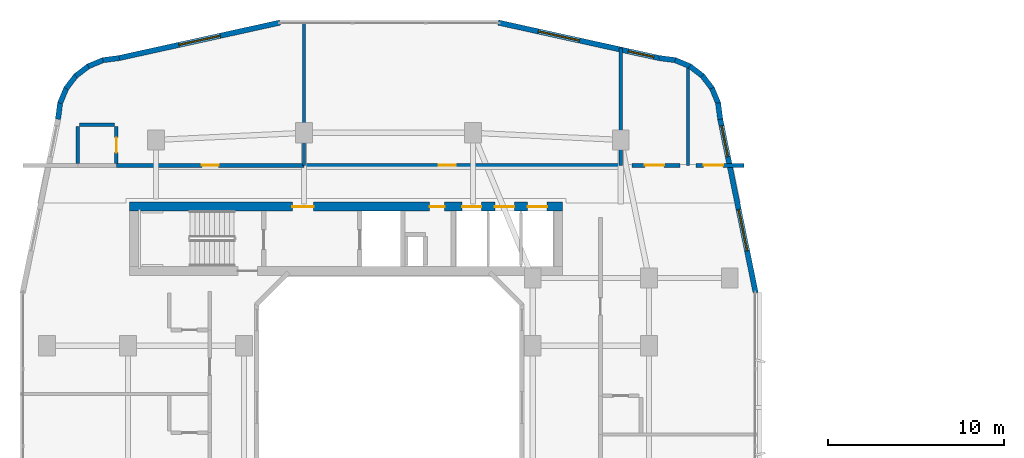
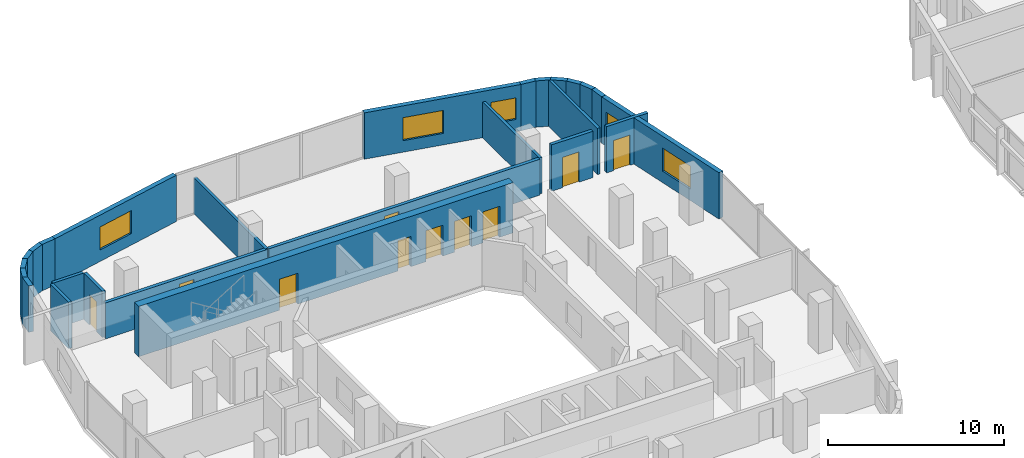
# One storey, part 16 of 26: 26 walls, 10 doors, 5 windows, 15 openings.
"""IFC4 building model written with IfcOpenShell, lengths in metres."""

import ifcopenshell
import ifcopenshell.guid

model = None  # the IFC model being written
_history = None  # IfcOwnerHistory: only IFC2X3 demands one
_inside = {}  # id of a spatial element -> (the spatial element, [elements in it])
_under = {}  # id of a project, library or spatial element -> (it, [spatial elements below it])
_declared = {}  # id of a project -> (the project, [libraries it declares])
_typed = {}  # id of a type object -> (the type object, [elements of that type])
_made_of = {}  # id of a material, layer set ... -> (it, [elements and type objects made of it])


def new_model(schema):
    """Start an empty IFC model of exactly this schema.

    Asked for "IFC4X3", IfcOpenShell would pick the latest addendum, in which some entities
    have other attributes; the version numbers below select the first issue.
    IFC2X3 requires an IfcOwnerHistory on every rooted entity: one is made here for all.
    """
    global model, _history
    if schema == "IFC4X3":
        model = ifcopenshell.file(schema_version=(4, 3, 0, 0))
    else:
        model = ifcopenshell.file(schema=schema)
    _inside.clear()
    _under.clear()
    _declared.clear()
    _typed.clear()
    _made_of.clear()
    _history = None
    if model.schema == "IFC2X3":
        org = make("IfcOrganization", Name="unknown")
        user = make(
            "IfcPersonAndOrganization",
            ThePerson=make("IfcPerson", FamilyName="unknown"),
            TheOrganization=org,
        )
        app = make(
            "IfcApplication",
            ApplicationDeveloper=org,
            Version="unknown",
            ApplicationFullName="unknown",
            ApplicationIdentifier="unknown",
        )
        _history = make(
            "IfcOwnerHistory",
            OwningUser=user,
            OwningApplication=app,
            ChangeAction="ADDED",
            CreationDate=0,
        )
    return model


def make(cls, **values):
    """One entity of the class cls with the attributes given. An attribute that is None is left unset."""
    return model.create_entity(
        cls, **{name: value for name, value in values.items() if value is not None}
    )


def rooted(cls, **values):
    """An entity with a GlobalId (a new one), such as an element, a storey or a relation."""
    return make(cls, GlobalId=ifcopenshell.guid.new(), OwnerHistory=_history, **values)


def si_unit(unit_type, name, prefix=None):
    """IfcSIUnit, for example si_unit("LENGTHUNIT", "METRE", prefix="MILLI")."""
    return make("IfcSIUnit", UnitType=unit_type, Prefix=prefix, Name=name)


def derived_unit(unit_type, elements):
    """IfcDerivedUnit: a product of units, each with its exponent."""
    return make(
        "IfcDerivedUnit",
        Elements=[
            make("IfcDerivedUnitElement", Unit=unit, Exponent=power)
            for unit, power in elements
        ],
        UnitType=unit_type,
    )


def assignment(units):
    """IfcUnitAssignment: the units of a project."""
    return None if units is None else make("IfcUnitAssignment", Units=units)


def point(xyz):
    """IfcCartesianPoint."""
    return None if xyz is None else make("IfcCartesianPoint", Coordinates=xyz)


def direction(xyz):
    """IfcDirection."""
    return None if xyz is None else make("IfcDirection", DirectionRatios=xyz)


def frame(location, z_axis=None, x_axis=None):
    """IfcAxis2Placement3D, a coordinate frame: its origin and axes. An axis left out is left unset."""
    return make(
        "IfcAxis2Placement3D",
        Location=point(location),
        Axis=direction(z_axis),
        RefDirection=direction(x_axis),
    )


def frame_2d(location, x_axis=None):
    """IfcAxis2Placement2D, a coordinate frame in the plane: its origin and x axis."""
    return make(
        "IfcAxis2Placement2D", Location=point(location), RefDirection=direction(x_axis)
    )


def origin():
    """The frame at (0, 0, 0) with its axes left unset."""
    return frame((0.0, 0.0, 0.0))


def place(relative_to, where):
    """IfcLocalPlacement: puts the frame where relative to a parent placement (None: the world)."""
    return make(
        "IfcLocalPlacement", PlacementRelTo=relative_to, RelativePlacement=where
    )


def context(
    kind, dimensions, precision=None, world=None, true_north=None, identifier=None
):
    """IfcGeometricRepresentationContext, for example the 3D "Model" context."""
    return make(
        "IfcGeometricRepresentationContext",
        ContextIdentifier=identifier,
        ContextType=kind,
        CoordinateSpaceDimension=dimensions,
        Precision=precision,
        WorldCoordinateSystem=world,
        TrueNorth=true_north,
    )


def subcontext(parent, identifier, kind, view, scale=None):
    """IfcGeometricRepresentationSubContext, for example "Body" below "Model"."""
    return make(
        "IfcGeometricRepresentationSubContext",
        ContextIdentifier=identifier,
        ContextType=kind,
        ParentContext=parent,
        TargetScale=scale,
        TargetView=view,
    )


def project(units=None, contexts=None):
    """IfcProject with its units and contexts."""
    return rooted(
        "IfcProject",
        Name="project",
        RepresentationContexts=contexts,
        UnitsInContext=assignment(units),
    )


def spatial(cls, under=None, at=None, **own):
    """A site, building, storey or space (cls), placed at a placement, below another one or the project."""
    s = rooted(cls, ObjectPlacement=at, **own)
    if under is not None:
        _under.setdefault(under.id(), (under, []))[1].append(s)
    return s


def profile(cls, at=None, kind="AREA", **sizes):
    """A parametric profile (cls). Its sizes go by their IFC names, for example OverallWidth=200.0."""
    return make(cls, ProfileType=kind, Position=at, **sizes)


def rectangle(**sizes):
    """IfcRectangleProfileDef."""
    return profile("IfcRectangleProfileDef", **sizes)


def extrude(swept, where, along, depth):
    """IfcExtrudedAreaSolid: the profile swept, set in the frame where, extruded along a direction by depth."""
    return make(
        "IfcExtrudedAreaSolid",
        SweptArea=swept,
        Position=where,
        ExtrudedDirection=direction(along),
        Depth=depth,
    )


def shape(context_of_items, identifier, shape_type, items):
    """IfcShapeRepresentation: the items that make up one representation, for example the "Body"."""
    return make(
        "IfcShapeRepresentation",
        ContextOfItems=context_of_items,
        RepresentationIdentifier=identifier,
        RepresentationType=shape_type,
        Items=items,
    )


def material(Name=None, Category=None):
    """IfcMaterial."""
    return make("IfcMaterial", Name=Name, Category=Category)


def layer(
    of_material, thickness, ventilated=None, Name=None, Category=None, Priority=None
):
    """IfcMaterialLayer: one layer of a wall or slab, of a material (None: an air gap)."""
    return make(
        "IfcMaterialLayer",
        Material=of_material,
        LayerThickness=thickness,
        IsVentilated=ventilated,
        Name=Name,
        Category=Category,
        Priority=Priority,
    )


def layer_set(layers, Name=None):
    """IfcMaterialLayerSet."""
    return make("IfcMaterialLayerSet", MaterialLayers=layers, LayerSetName=Name)


def made_of(thing, what):
    """Note that an element or type object is made of a material, layer set ...; save() writes the relation."""
    if what is not None:
        _made_of.setdefault(what.id(), (what, []))[1].append(thing)
    return thing


def type_object(cls, material=None, **own):
    """A type object (cls), such as IfcWallType, which elements share."""
    return made_of(rooted(cls, **own), material)


def element(
    cls,
    number,
    at=None,
    inside=None,
    cuts=None,
    type_object=None,
    material=None,
    context=None,
    identifier="Body",
    shape_type=None,
    held_by="IfcProductDefinitionShape",
    body=None,
    shapes=None,
    **own,
):
    """One element of the class cls, such as IfcWall. Its Tag is "e" and its number.

    at: its placement. inside: the storey or other place that contains it. cuts: it is an
    opening in that element (IfcRelVoidsElement). A single representation is given by context,
    identifier, shape_type and body (its items); several are given by shapes. held_by: the class
    of the entity that holds the representations. save() writes the other relations.
    """
    e = rooted(cls, Tag="e%d" % number, ObjectPlacement=at, **own)
    if body is not None:
        shapes = [shape(context, identifier, shape_type, body)]
    if shapes is not None:
        e.Representation = make(held_by, Representations=shapes)
    if inside is not None:
        _inside.setdefault(inside.id(), (inside, []))[1].append(e)
    if cuts is not None:
        rooted(
            "IfcRelVoidsElement", RelatingBuildingElement=cuts, RelatedOpeningElement=e
        )
    if type_object is not None:
        _typed.setdefault(type_object.id(), (type_object, []))[1].append(e)
    return made_of(e, material)


def fill(opening, filler):
    """IfcRelFillsElement: the door or window that sits in an opening."""
    return rooted(
        "IfcRelFillsElement",
        RelatingOpeningElement=opening,
        RelatedBuildingElement=filler,
    )


def aggregate(whole, parts):
    """IfcRelAggregates: a whole, such as a stair, and the parts it consists of."""
    return rooted("IfcRelAggregates", RelatingObject=whole, RelatedObjects=parts)


def save(model, path):
    """Write the relations noted so far, then the file.

    IfcRelAggregates (storeys below a building ...), IfcRelContainedInSpatialStructure (elements
    in a storey), IfcRelDefinesByType, IfcRelAssociatesMaterial and IfcRelDeclares: one each for
    every whole, place, type object, material and project.
    """
    for whole, parts in _under.values():
        aggregate(whole, parts)
    for where, things in _inside.values():
        rooted(
            "IfcRelContainedInSpatialStructure",
            RelatedElements=things,
            RelatingStructure=where,
        )
    for kind, things in _typed.values():
        rooted("IfcRelDefinesByType", RelatedObjects=things, RelatingType=kind)
    for what, things in _made_of.values():
        rooted("IfcRelAssociatesMaterial", RelatedObjects=things, RelatingMaterial=what)
    for by, libraries in _declared.values():
        rooted("IfcRelDeclares", RelatingContext=by, RelatedDefinitions=libraries)
    model.write(path)


model = new_model("IFC4")

# Units and contexts
model_context = context("Model", 3, precision=1e-05, world=origin(), true_north=direction((0.0, 1.0)))
body_context = subcontext(model_context, "Body", "Model", "MODEL_VIEW")
ifc_project = project(units=[si_unit("LENGTHUNIT", "METRE"), si_unit("AREAUNIT", "SQUARE_METRE"), si_unit("VOLUMEUNIT", "CUBIC_METRE"), si_unit("PLANEANGLEUNIT", "RADIAN"), si_unit("MASSUNIT", "GRAM", prefix="KILO"), derived_unit("THERMALTRANSMITTANCEUNIT", [(si_unit("POWERUNIT", "WATT"), 1), (si_unit("LENGTHUNIT", "METRE"), -2), (si_unit("THERMODYNAMICTEMPERATUREUNIT", "KELVIN"), -1)])], contexts=[model_context])

# Site, building, storey
site_placement = place(None, origin())
site = spatial("IfcSite", under=ifc_project, at=site_placement, CompositionType="ELEMENT")
building_placement = place(site_placement, origin())
building = spatial("IfcBuilding", under=site, at=building_placement, Name="Kivonza Crest Hotel", CompositionType="ELEMENT")
storey_placement = place(building_placement, frame((0.0, 0.0, 62.5)))
storey = spatial("IfcBuildingStorey", under=building, at=storey_placement, Name="L16", CompositionType="ELEMENT", Elevation=62.5)

# Walls
ifc_material_1 = material(Name="High-density acoustic masonry inter-tenancy wall", Category="masonry")
ifc_layer_1 = layer(ifc_material_1, 0.179931640625)
ifc_layer_set_1 = layer_set([ifc_layer_1], Name="High-density acoustic masonry inter-tenancy wall")
wall_type_1 = type_object("IfcWallType", Name="WL-ACOU-180", PredefinedType="SOLIDWALL", material=ifc_layer_set_1)
wall_1_placement = place(storey_placement, frame((16.199951171875, 38.75, 0.0), z_axis=(0.0, 0.0, 1.0), x_axis=(0.0, 1.0, 0.0)))
element("IfcWall", 1, at=wall_1_placement, inside=storey, type_object=wall_type_1, Name="L16 interior partition WA-L16-T1N-DIV1", PredefinedType="SOLIDWALL", context=body_context, shape_type="SweptSolid", body=[
    extrude(rectangle(XDim=8.18994140625, YDim=0.179931640625, at=frame_2d((4.094970703125, 0.0))), origin(), (0.0, 0.0, 1.0), 2.4951171875),
])
wall_2_placement = place(storey_placement, frame((34.199951171875, 38.75, 0.0), z_axis=(0.0, 0.0, 1.0), x_axis=(0.0, 1.0, 0.0)))
element("IfcWall", 2, at=wall_2_placement, inside=storey, type_object=wall_type_1, Name="L16 interior partition WA-L16-T1N-DIV2", PredefinedType="SOLIDWALL", context=body_context, shape_type="SweptSolid", body=[
    extrude(rectangle(XDim=6.674072265625, YDim=0.179931640625, at=frame_2d((3.3369140625, 0.0))), origin(), (0.0, 0.0, 1.0), 2.4951171875),
])
wall_3_placement = place(storey_placement, frame((38.02001953125, 38.75, 0.0), z_axis=(0.0, 0.0, 1.0), x_axis=(0.0, 1.0, 0.0)))
element("IfcWall", 3, at=wall_3_placement, inside=storey, type_object=wall_type_1, Name="L16 interior partition WA-L16-T1N-SPDIV2", PredefinedType="SOLIDWALL", context=body_context, shape_type="SweptSolid", body=[
    extrude(rectangle(XDim=5.778076171875, YDim=0.179931640625, at=frame_2d((2.88916015625, 0.0))), origin(), (0.0, 0.0, 1.0), 3.219970703125),
])

# Wall, opening, door
ifc_material_2 = material(Name="Autoclaved aerated concrete blockwork", Category="masonry")
ifc_layer_2 = layer(ifc_material_2, 0.219970703125)
ifc_layer_set_2 = layer_set([ifc_layer_2], Name="Autoclaved aerated concrete blockwork")
wall_type_2 = type_object("IfcWallType", Name="WL-ACOU-220", PredefinedType="SOLIDWALL", material=ifc_layer_set_2)
wall_4_placement = place(storey_placement, frame((5.550048828125, 38.75, 0.0), z_axis=(0.0, 0.0, 1.0), x_axis=(1.0, 0.0, 0.0)))
wall_4 = element("IfcWall", 4, at=wall_4_placement, inside=storey, type_object=wall_type_2, Name="L16 interior partition WA-L16-N01-MCORR", PredefinedType="SOLIDWALL", context=body_context, shape_type="SweptSolid", body=[
    extrude(rectangle(XDim=10.64990234375, YDim=0.219970703125, at=frame_2d((5.324951171875, 0.0))), origin(), (0.0, 0.0, 1.0), 2.4951171875),
])
opening_1_placement = place(wall_4_placement, frame((4.85009765625, 0.0, 0.0)))
opening_1 = element("IfcOpeningElement", 5, at=opening_1_placement, cuts=wall_4, Name="Opening DU-60", PredefinedType="OPENING", context=body_context, shape_type="SweptSolid", body=[
    extrude(rectangle(XDim=0.949951171875, YDim=2.10009765625, at=frame_2d((0.47509765625, 1.050048828125))), frame((0.0, 0.1201171875, 0.0), z_axis=(0.0, -1.0, 0.0), x_axis=(1.0, 0.0, 0.0)), (0.0, 0.0, 1.0), 0.239990234375),
])
ifc_material_3 = material(Name="Hardwood timber oak", Category="wood")
door_type_1 = type_object("IfcDoorType", Name="DR-UNIT-950", OperationType="NOTDEFINED", PredefinedType="DOOR", material=ifc_material_3)
door_1_placement = place(opening_1_placement, origin())
door_1 = element("IfcDoor", 6, at=door_1_placement, inside=storey, type_object=door_type_1, Name="L16 N01 guest unit entrance fire door", OperationType="SINGLE_SWING_LEFT", OverallHeight=2.10009765625, OverallWidth=0.949951171875, PredefinedType="DOOR", context=body_context, shape_type="SweptSolid", body=[
    extrude(rectangle(XDim=0.949951171875, YDim=2.10009765625, at=frame_2d((0.47509765625, 1.050048828125))), frame((0.0, 0.02490234375, 0.0), z_axis=(0.0, -1.0, 0.0), x_axis=(1.0, 0.0, 0.0)), (0.0, 0.0, 1.0), 0.050048828125),
])
fill(opening_1, door_1)

wall_5_placement = place(storey_placement, frame((16.300048828125, 38.75, 0.0), z_axis=(0.0, 0.0, 1.0), x_axis=(1.0, 0.0, 0.0)))
wall_5 = element("IfcWall", 7, at=wall_5_placement, inside=storey, type_object=wall_type_2, Name="L16 interior partition WA-L16-HK-MAIN-S", PredefinedType="SOLIDWALL", context=body_context, shape_type="SweptSolid", body=[
    extrude(rectangle(XDim=17.800048828125, YDim=0.219970703125, at=frame_2d((8.89990234375, 0.0))), origin(), (0.0, 0.0, 1.0), 2.4951171875),
])
opening_2_placement = place(wall_5_placement, frame((7.572998046875, 0.0, 0.0)))
opening_2 = element("IfcOpeningElement", 8, at=opening_2_placement, cuts=wall_5, Name="Opening DF-60S", PredefinedType="OPENING", context=body_context, shape_type="SweptSolid", body=[
    extrude(rectangle(XDim=0.949951171875, YDim=2.10009765625, at=frame_2d((0.47509765625, 1.050048828125))), frame((0.0, 0.1201171875, 0.0), z_axis=(0.0, -1.0, 0.0), x_axis=(1.0, 0.0, 0.0)), (0.0, 0.0, 1.0), 0.239990234375),
])
door_type_2 = type_object("IfcDoorType", Name="DR-FD60-950", OperationType="NOTDEFINED", PredefinedType="DOOR", material=ifc_material_3)
door_2_placement = place(opening_2_placement, origin())
door_2 = element("IfcDoor", 9, at=door_2_placement, inside=storey, type_object=door_type_2, Name="L16 Housekeeping and Linen Room door", OperationType="SINGLE_SWING_RIGHT", OverallHeight=2.10009765625, OverallWidth=0.949951171875, PredefinedType="DOOR", context=body_context, shape_type="SweptSolid", body=[
    extrude(rectangle(XDim=0.949951171875, YDim=2.10009765625, at=frame_2d((0.47509765625, 1.050048828125))), frame((0.0, 0.02490234375, 0.0), z_axis=(0.0, -1.0, 0.0), x_axis=(1.0, 0.0, 0.0)), (0.0, 0.0, 1.0), 0.050048828125),
])
fill(opening_2, door_2)

wall_6_placement = place(storey_placement, frame((34.85009765625, 38.75, 0.0), z_axis=(0.0, 0.0, 1.0), x_axis=(1.0, 0.0, 0.0)))
wall_6 = element("IfcWall", 10, at=wall_6_placement, inside=storey, type_object=wall_type_2, Name="L16 interior partition WA-L16-Z1-NBIZ2A-S", PredefinedType="SOLIDWALL", context=body_context, shape_type="SweptSolid", body=[
    extrude(rectangle(XDim=2.719970703125, YDim=0.219970703125, at=frame_2d((1.35986328125, 0.0))), origin(), (0.0, 0.0, 1.0), 3.219970703125),
])
opening_3_placement = place(wall_6_placement, frame((0.718994140625, 0.0, 0.0)))
opening_3 = element("IfcOpeningElement", 11, at=opening_3_placement, cuts=wall_6, Name="Opening DF-60M", PredefinedType="OPENING", context=body_context, shape_type="SweptSolid", body=[
    extrude(rectangle(XDim=1.10009765625, YDim=2.10009765625, at=frame_2d((0.550048828125, 1.050048828125))), frame((0.0, 0.1201171875, 0.0), z_axis=(0.0, -1.0, 0.0), x_axis=(1.0, 0.0, 0.0)), (0.0, 0.0, 1.0), 0.239990234375),
])
door_type_3 = type_object("IfcDoorType", Name="DR-FD60-1100", OperationType="NOTDEFINED", PredefinedType="DOOR", material=ifc_material_3)
door_3_placement = place(opening_3_placement, origin())
door_3 = element("IfcDoor", 12, at=door_3_placement, inside=storey, type_object=door_type_3, Name="L16 Executive Sky Business Office door", OperationType="SINGLE_SWING_RIGHT", OverallHeight=2.10009765625, OverallWidth=1.10009765625, PredefinedType="DOOR", context=body_context, shape_type="SweptSolid", body=[
    extrude(rectangle(XDim=1.10009765625, YDim=2.10009765625, at=frame_2d((0.550048828125, 1.050048828125))), frame((0.0, 0.02490234375, 0.0), z_axis=(0.0, -1.0, 0.0), x_axis=(1.0, 0.0, 0.0)), (0.0, 0.0, 1.0), 0.050048828125),
])
fill(opening_3, door_3)

wall_7_placement = place(storey_placement, frame((38.469970703125, 38.75, 0.0), z_axis=(0.0, 0.0, 1.0), x_axis=(1.0, 0.0, 0.0)))
wall_7 = element("IfcWall", 13, at=wall_7_placement, inside=storey, type_object=wall_type_2, Name="L16 interior partition WA-L16-Z1-NBIZ2B-S", PredefinedType="SOLIDWALL", context=body_context, shape_type="SweptSolid", body=[
    extrude(rectangle(XDim=2.719970703125, YDim=0.219970703125, at=frame_2d((1.35986328125, 0.0))), origin(), (0.0, 0.0, 1.0), 3.219970703125),
])
opening_4_placement = place(wall_7_placement, frame((0.43896484375, 0.0, 0.0)))
opening_4 = element("IfcOpeningElement", 14, at=opening_4_placement, cuts=wall_7, Name="Opening DF-60M", PredefinedType="OPENING", context=body_context, shape_type="SweptSolid", body=[
    extrude(rectangle(XDim=1.10009765625, YDim=2.10009765625, at=frame_2d((0.550048828125, 1.050048828125))), frame((0.0, 0.1201171875, 0.0), z_axis=(0.0, -1.0, 0.0), x_axis=(1.0, 0.0, 0.0)), (0.0, 0.0, 1.0), 0.239990234375),
])
door_4_placement = place(opening_4_placement, origin())
door_4 = element("IfcDoor", 15, at=door_4_placement, inside=storey, type_object=door_type_3, Name="L16 Executive Sky Delegation Office door", OperationType="SINGLE_SWING_LEFT", OverallHeight=2.10009765625, OverallWidth=1.10009765625, PredefinedType="DOOR", context=body_context, shape_type="SweptSolid", body=[
    extrude(rectangle(XDim=1.10009765625, YDim=2.10009765625, at=frame_2d((0.550048828125, 1.050048828125))), frame((0.0, 0.02490234375, 0.0), z_axis=(0.0, -1.0, 0.0), x_axis=(1.0, 0.0, 0.0)), (0.0, 0.0, 1.0), 0.050048828125),
])
fill(opening_4, door_4)

# Wall, openings, doors
ifc_material_4 = material(Name="Concrete C60/75", Category="concrete")
ifc_layer_3 = layer(ifc_material_4, 0.5)
ifc_layer_set_3 = layer_set([ifc_layer_3], Name="Concrete C60/75")
wall_type_3 = type_object("IfcWallType", Name="WL-CORE-500", PredefinedType="SHEAR", material=ifc_layer_set_3)
wall_8_placement = place(storey_placement, frame((6.300048828125, 36.409912109375, 0.0), z_axis=(0.0, 0.0, 1.0), x_axis=(1.0, 0.0, 0.0)))
wall_8 = element("IfcWall", 16, at=wall_8_placement, inside=storey, type_object=wall_type_3, Name="Core wall T1-N North L16", PredefinedType="SHEAR", context=body_context, shape_type="SweptSolid", body=[
    extrude(rectangle(XDim=24.599853515625, YDim=0.5, at=frame_2d((12.2998046875, 0.0))), origin(), (0.0, 0.0, 1.0), 3.5),
])
opening_5_placement = place(wall_8_placement, frame((9.25, 0.0, 0.0)))
opening_5 = element("IfcOpeningElement", 17, at=opening_5_placement, cuts=wall_8, Name="Opening DF-60", PredefinedType="OPENING", context=body_context, shape_type="SweptSolid", body=[
    extrude(rectangle(XDim=1.199951171875, YDim=2.14990234375, at=frame_2d((0.60009765625, 1.074951171875))), frame((0.0, 0.260009765625, 0.0), z_axis=(0.0, -1.0, 0.0), x_axis=(1.0, 0.0, 0.0)), (0.0, 0.0, 1.0), 0.52001953125),
])
opening_6_placement = place(wall_8_placement, frame((17.0400390625, 0.0, 0.0)))
opening_6 = element("IfcOpeningElement", 18, at=opening_6_placement, cuts=wall_8, Name="Opening DF-60R", PredefinedType="OPENING", context=body_context, shape_type="SweptSolid", body=[
    extrude(rectangle(XDim=0.85009765625, YDim=2.10009765625, at=frame_2d((0.425048828125, 1.050048828125))), frame((0.0, 0.260009765625, 0.0), z_axis=(0.0, -1.0, 0.0), x_axis=(1.0, 0.0, 0.0)), (0.0, 0.0, 1.0), 0.52001953125),
])
opening_7_placement = place(wall_8_placement, frame((18.883056640625, 0.0, 0.0)))
opening_7 = element("IfcOpeningElement", 19, at=opening_7_placement, cuts=wall_8, Name="Opening LD-120", PredefinedType="OPENING", context=body_context, shape_type="SweptSolid", body=[
    extrude(rectangle(XDim=1.10009765625, YDim=2.14990234375, at=frame_2d((0.550048828125, 1.074951171875))), frame((0.0, 0.260009765625, 0.0), z_axis=(0.0, -1.0, 0.0), x_axis=(1.0, 0.0, 0.0)), (0.0, 0.0, 1.0), 0.52001953125),
])
opening_8_placement = place(wall_8_placement, frame((20.75, 0.0, 0.0)))
opening_8 = element("IfcOpeningElement", 20, at=opening_8_placement, cuts=wall_8, Name="Opening LD-120", PredefinedType="OPENING", context=body_context, shape_type="SweptSolid", body=[
    extrude(rectangle(XDim=1.10009765625, YDim=2.14990234375, at=frame_2d((0.550048828125, 1.074951171875))), frame((0.0, 0.260009765625, 0.0), z_axis=(0.0, -1.0, 0.0), x_axis=(1.0, 0.0, 0.0)), (0.0, 0.0, 1.0), 0.52001953125),
])
opening_9_placement = place(wall_8_placement, frame((22.615966796875, 0.0, 0.0)))
opening_9 = element("IfcOpeningElement", 21, at=opening_9_placement, cuts=wall_8, Name="Opening LD-120", PredefinedType="OPENING", context=body_context, shape_type="SweptSolid", body=[
    extrude(rectangle(XDim=1.10009765625, YDim=2.14990234375, at=frame_2d((0.550048828125, 1.074951171875))), frame((0.0, 0.260009765625, 0.0), z_axis=(0.0, -1.0, 0.0), x_axis=(1.0, 0.0, 0.0)), (0.0, 0.0, 1.0), 0.52001953125),
])
door_type_4 = type_object("IfcDoorType", Name="DR-FD60-1200", OperationType="NOTDEFINED", PredefinedType="DOOR", material=ifc_material_3)
door_5_placement = place(opening_5_placement, origin())
door_5 = element("IfcDoor", 22, at=door_5_placement, inside=storey, type_object=door_type_4, Name="L16 T1-N firefighting lobby fire door", OperationType="SINGLE_SWING_RIGHT", OverallHeight=2.14990234375, OverallWidth=1.199951171875, PredefinedType="DOOR", context=body_context, shape_type="SweptSolid", body=[
    extrude(rectangle(XDim=1.199951171875, YDim=2.14990234375, at=frame_2d((0.60009765625, 1.074951171875))), frame((0.0, 0.02490234375, 0.0), z_axis=(0.0, -1.0, 0.0), x_axis=(1.0, 0.0, 0.0)), (0.0, 0.0, 1.0), 0.050048828125),
])
fill(opening_5, door_5)
door_type_5 = type_object("IfcDoorType", Name="DR-FD60-850", OperationType="NOTDEFINED", PredefinedType="DOOR", material=ifc_material_3)
door_6_placement = place(opening_6_placement, origin())
door_6 = element("IfcDoor", 23, at=door_6_placement, inside=storey, type_object=door_type_5, Name="L16 T1-N core room door", OperationType="SINGLE_SWING_RIGHT", OverallHeight=2.10009765625, OverallWidth=0.85009765625, PredefinedType="DOOR", context=body_context, shape_type="SweptSolid", body=[
    extrude(rectangle(XDim=0.85009765625, YDim=2.10009765625, at=frame_2d((0.425048828125, 1.050048828125))), frame((0.0, 0.02490234375, 0.0), z_axis=(0.0, -1.0, 0.0), x_axis=(1.0, 0.0, 0.0)), (0.0, 0.0, 1.0), 0.050048828125),
])
fill(opening_6, door_6)
ifc_material_5 = material(Name="Stainless steel", Category="steel")
door_type_6 = type_object("IfcDoorType", Name="DR-LD120-1100", OperationType="NOTDEFINED", PredefinedType="DOOR", material=ifc_material_5)
door_7_placement = place(opening_7_placement, origin())
door_7 = element("IfcDoor", 24, at=door_7_placement, inside=storey, type_object=door_type_6, Name="L16 PL-T1-L1 passenger lift sliding landing door", OperationType="DOUBLE_DOOR_SLIDING", OverallHeight=2.14990234375, OverallWidth=1.10009765625, PredefinedType="DOOR", context=body_context, shape_type="SweptSolid", body=[
    extrude(rectangle(XDim=1.10009765625, YDim=2.14990234375, at=frame_2d((0.550048828125, 1.074951171875))), frame((0.0, 0.02490234375, 0.0), z_axis=(0.0, -1.0, 0.0), x_axis=(1.0, 0.0, 0.0)), (0.0, 0.0, 1.0), 0.050048828125),
])
fill(opening_7, door_7)
door_8_placement = place(opening_8_placement, origin())
door_8 = element("IfcDoor", 25, at=door_8_placement, inside=storey, type_object=door_type_6, Name="L16 PL-T1-L2 passenger lift sliding landing door", OperationType="DOUBLE_DOOR_SLIDING", OverallHeight=2.14990234375, OverallWidth=1.10009765625, PredefinedType="DOOR", context=body_context, shape_type="SweptSolid", body=[
    extrude(rectangle(XDim=1.10009765625, YDim=2.14990234375, at=frame_2d((0.550048828125, 1.074951171875))), frame((0.0, 0.02490234375, 0.0), z_axis=(0.0, -1.0, 0.0), x_axis=(1.0, 0.0, 0.0)), (0.0, 0.0, 1.0), 0.050048828125),
])
fill(opening_8, door_8)
door_9_placement = place(opening_9_placement, origin())
door_9 = element("IfcDoor", 26, at=door_9_placement, inside=storey, type_object=door_type_6, Name="L16 PL-T1-L3 passenger lift sliding landing door", OperationType="DOUBLE_DOOR_SLIDING", OverallHeight=2.14990234375, OverallWidth=1.10009765625, PredefinedType="DOOR", context=body_context, shape_type="SweptSolid", body=[
    extrude(rectangle(XDim=1.10009765625, YDim=2.14990234375, at=frame_2d((0.550048828125, 1.074951171875))), frame((0.0, 0.02490234375, 0.0), z_axis=(0.0, -1.0, 0.0), x_axis=(1.0, 0.0, 0.0)), (0.0, 0.0, 1.0), 0.050048828125),
])
fill(opening_9, door_9)

# Wall, openings, windows
ifc_material_6 = material(Name="Precast concrete C40/50", Category="concrete")
ifc_layer_4 = layer(ifc_material_6, 0.300048828125)
ifc_layer_set_4 = layer_set([ifc_layer_4], Name="Precast concrete C40/50")
wall_type_4 = type_object("IfcWallType", Name="WL-EXT-300", PredefinedType="STANDARD", material=ifc_layer_set_4)
wall_9_placement = place(storey_placement, frame((41.864013671875, 31.51611328125, 0.0), z_axis=(0.0, 0.0, 1.0), x_axis=(-0.199990901713, 0.979797754249, 0.0)))
wall_9 = element("IfcWall", 27, at=wall_9_placement, inside=storey, type_object=wall_type_4, Name="L16 T1 exterior insulated wall 18", PredefinedType="STANDARD", context=body_context, shape_type="SweptSolid", body=[
    extrude(rectangle(XDim=10.065185546875, YDim=0.300048828125, at=frame_2d((5.03271484375, 0.0))), origin(), (0.0, 0.0, 1.0), 3.219970703125),
])
opening_10_placement = place(wall_9_placement, frame((2.428955078125, 0.0, 0.800048828125)))
opening_10 = element("IfcOpeningElement", 28, at=opening_10_placement, cuts=wall_9, Name="Opening WN-05", PredefinedType="OPENING", context=body_context, shape_type="SweptSolid", body=[
    extrude(rectangle(XDim=2.39990234375, YDim=1.60009765625, at=frame_2d((1.199951171875, 0.800048828125))), frame((0.0, 0.16015625, 0.0), z_axis=(0.0, -1.0, 0.0), x_axis=(1.0, 0.0, 0.0)), (0.0, 0.0, 1.0), 0.320068359375),
])
opening_11_placement = place(wall_9_placement, frame((7.886962890625, 0.0, 0.85009765625)))
opening_11 = element("IfcOpeningElement", 29, at=opening_11_placement, cuts=wall_9, Name="Opening WN-03", PredefinedType="OPENING", context=body_context, shape_type="SweptSolid", body=[
    extrude(rectangle(XDim=1.800048828125, YDim=1.5, at=frame_2d((0.89990234375, 0.75))), frame((0.0, 0.16015625, 0.0), z_axis=(0.0, -1.0, 0.0), x_axis=(1.0, 0.0, 0.0)), (0.0, 0.0, 1.0), 0.320068359375),
])
ifc_material_7 = material(Name="Thermally broken bronze aluminium and low-E double glazing", Category="aluminium")
window_type_1 = type_object("IfcWindowType", Name="WN-180x150", PartitioningType="DOUBLE_PANEL_VERTICAL", PredefinedType="WINDOW", material=ifc_material_7)
window_1_placement = place(opening_11_placement, origin())
window_1 = element("IfcWindow", 30, at=window_1_placement, inside=storey, type_object=window_type_1, Name="L16 T1 facade window 18 bay 2", OverallHeight=1.5, OverallWidth=1.800048828125, PartitioningType="SINGLE_PANEL", PredefinedType="WINDOW", context=body_context, shape_type="SweptSolid", body=[
    extrude(rectangle(XDim=1.800048828125, YDim=1.5, at=frame_2d((0.89990234375, 0.75))), frame((0.0, 0.030029296875, 0.0), z_axis=(0.0, -1.0, 0.0), x_axis=(1.0, 0.0, 0.0)), (0.0, 0.0, 1.0), 0.06005859375),
])
fill(opening_11, window_1)
window_type_2 = type_object("IfcWindowType", Name="WN-240x160", PartitioningType="TRIPLE_PANEL_VERTICAL", PredefinedType="WINDOW", material=ifc_material_7)
window_2_placement = place(opening_10_placement, origin())
window_2 = element("IfcWindow", 31, at=window_2_placement, inside=storey, type_object=window_type_2, Name="L16 T1 facade window 18 bay 1", OverallHeight=1.60009765625, OverallWidth=2.39990234375, PartitioningType="SINGLE_PANEL", PredefinedType="WINDOW", context=body_context, shape_type="SweptSolid", body=[
    extrude(rectangle(XDim=2.39990234375, YDim=1.60009765625, at=frame_2d((1.199951171875, 0.800048828125))), frame((0.0, 0.030029296875, 0.0), z_axis=(0.0, -1.0, 0.0), x_axis=(1.0, 0.0, 0.0)), (0.0, 0.0, 1.0), 0.06005859375),
])
fill(opening_10, window_2)

# Walls
wall_10_placement = place(storey_placement, frame((39.85205078125, 41.3720703125, 0.0), z_axis=(0.0, 0.0, 1.0), x_axis=(-0.131174864804, 0.991359246108, 0.0)))
element("IfcWall", 32, at=wall_10_placement, inside=storey, type_object=wall_type_4, Name="L16 T1 exterior insulated wall 19", PredefinedType="STANDARD", context=body_context, shape_type="SweptSolid", body=[
    extrude(rectangle(XDim=0.93798828125, YDim=0.300048828125, at=frame_2d((0.468994140625, 0.0))), origin(), (0.0, 0.0, 1.0), 3.219970703125),
])
wall_11_placement = place(storey_placement, frame((39.748046875, 42.251953125, 0.0), z_axis=(0.0, 0.0, 1.0), x_axis=(-0.382344263057, 0.924019948111, 0.0)))
element("IfcWall", 33, at=wall_11_placement, inside=storey, type_object=wall_type_4, Name="L16 T1 exterior insulated wall 20", PredefinedType="STANDARD", context=body_context, shape_type="SweptSolid", body=[
    extrude(rectangle(XDim=0.95458984375, YDim=0.300048828125, at=frame_2d((0.477294921875, 0.0))), origin(), (0.0, 0.0, 1.0), 3.219970703125),
])
wall_12_placement = place(storey_placement, frame((39.4140625, 43.089111328125, 0.0), z_axis=(0.0, 0.0, 1.0), x_axis=(-0.608474481025, 0.793573440799, 0.0)))
element("IfcWall", 34, at=wall_12_placement, inside=storey, type_object=wall_type_4, Name="L16 T1 exterior insulated wall 21", PredefinedType="STANDARD", context=body_context, shape_type="SweptSolid", body=[
    extrude(rectangle(XDim=0.954833984375, YDim=0.300048828125, at=frame_2d((0.4775390625, 0.0))), origin(), (0.0, 0.0, 1.0), 3.219970703125),
])
wall_13_placement = place(storey_placement, frame((38.875, 43.81201171875, 0.0), z_axis=(0.0, 0.0, 1.0), x_axis=(-0.793668068435, 0.608351047625, 0.0)))
element("IfcWall", 35, at=wall_13_placement, inside=storey, type_object=wall_type_4, Name="L16 T1 exterior insulated wall 22", PredefinedType="STANDARD", context=body_context, shape_type="SweptSolid", body=[
    extrude(rectangle(XDim=0.955078125, YDim=0.300048828125, at=frame_2d((0.4775390625, 0.0))), origin(), (0.0, 0.0, 1.0), 3.219970703125),
])
wall_14_placement = place(storey_placement, frame((38.166015625, 44.368896484375, 0.0), z_axis=(0.0, 0.0, 1.0), x_axis=(-0.924019948111, 0.382344263057, 0.0)))
element("IfcWall", 36, at=wall_14_placement, inside=storey, type_object=wall_type_4, Name="L16 T1 exterior insulated wall 23", PredefinedType="STANDARD", context=body_context, shape_type="SweptSolid", body=[
    extrude(rectangle(XDim=0.95458984375, YDim=0.300048828125, at=frame_2d((0.477294921875, 0.0))), origin(), (0.0, 0.0, 1.0), 3.219970703125),
])
wall_15_placement = place(storey_placement, frame((37.3369140625, 44.72509765625, 0.0), z_axis=(0.0, 0.0, 1.0), x_axis=(-0.991454295543, 0.130454512571, 0.0)))
element("IfcWall", 37, at=wall_15_placement, inside=storey, type_object=wall_type_4, Name="L16 T1 exterior insulated wall 24", PredefinedType="STANDARD", context=body_context, shape_type="SweptSolid", body=[
    extrude(rectangle(XDim=0.97314453125, YDim=0.300048828125, at=frame_2d((0.486572265625, 0.0))), origin(), (0.0, 0.0, 1.0), 3.219970703125),
])

# Wall, openings, windows
wall_16_placement = place(storey_placement, frame((36.3759765625, 44.85205078125, 0.0), z_axis=(0.0, 0.0, 1.0), x_axis=(-0.97654500432, 0.215313386808, 0.0)))
wall_16 = element("IfcWall", 38, at=wall_16_placement, inside=storey, type_object=wall_type_4, Name="L16 T1 exterior insulated wall 25", PredefinedType="STANDARD", context=body_context, shape_type="SweptSolid", body=[
    extrude(rectangle(XDim=9.353515625, YDim=0.300048828125, at=frame_2d((4.6767578125, 0.0))), origin(), (0.0, 0.0, 1.0), 3.219970703125),
])
opening_12_placement = place(wall_16_placement, frame((0.299072265625, 0.0, 0.85009765625)))
opening_12 = element("IfcOpeningElement", 39, at=opening_12_placement, cuts=wall_16, Name="Opening WN-02", PredefinedType="OPENING", context=body_context, shape_type="SweptSolid", body=[
    extrude(rectangle(XDim=1.5, YDim=1.5, at=frame_2d((0.75, 0.75))), frame((0.0, 0.16015625, 0.0), z_axis=(0.0, -1.0, 0.0), x_axis=(1.0, 0.0, 0.0)), (0.0, 0.0, 1.0), 0.320068359375),
])
opening_13_placement = place(wall_16_placement, frame((4.631103515625, 0.0, 0.800048828125)))
opening_13 = element("IfcOpeningElement", 40, at=opening_13_placement, cuts=wall_16, Name="Opening WN-05", PredefinedType="OPENING", context=body_context, shape_type="SweptSolid", body=[
    extrude(rectangle(XDim=2.39990234375, YDim=1.60009765625, at=frame_2d((1.199951171875, 0.800048828125))), frame((0.0, 0.16015625, 0.0), z_axis=(0.0, -1.0, 0.0), x_axis=(1.0, 0.0, 0.0)), (0.0, 0.0, 1.0), 0.320068359375),
])
window_type_3 = type_object("IfcWindowType", Name="WN-150x150", PartitioningType="DOUBLE_PANEL_VERTICAL", PredefinedType="WINDOW", material=ifc_material_7)
window_3_placement = place(opening_12_placement, origin())
window_3 = element("IfcWindow", 41, at=window_3_placement, inside=storey, type_object=window_type_3, Name="L16 T1 facade window 25 bay 1", OverallHeight=1.5, OverallWidth=1.5, PartitioningType="SINGLE_PANEL", PredefinedType="WINDOW", context=body_context, shape_type="SweptSolid", body=[
    extrude(rectangle(XDim=1.5, YDim=1.5, at=frame_2d((0.75, 0.75))), frame((0.0, 0.030029296875, 0.0), z_axis=(0.0, -1.0, 0.0), x_axis=(1.0, 0.0, 0.0)), (0.0, 0.0, 1.0), 0.06005859375),
])
fill(opening_12, window_3)
window_4_placement = place(opening_13_placement, origin())
window_4 = element("IfcWindow", 42, at=window_4_placement, inside=storey, type_object=window_type_2, Name="L16 T1 facade window 25 bay 2", OverallHeight=1.60009765625, OverallWidth=2.39990234375, PartitioningType="SINGLE_PANEL", PredefinedType="WINDOW", context=body_context, shape_type="SweptSolid", body=[
    extrude(rectangle(XDim=2.39990234375, YDim=1.60009765625, at=frame_2d((1.199951171875, 0.800048828125))), frame((0.0, 0.030029296875, 0.0), z_axis=(0.0, -1.0, 0.0), x_axis=(1.0, 0.0, 0.0)), (0.0, 0.0, 1.0), 0.06005859375),
])
fill(opening_13, window_4)

# Wall, opening, window
wall_17_placement = place(storey_placement, frame((14.837890625, 46.865966796875, 0.0), z_axis=(0.0, 0.0, 1.0), x_axis=(-0.9765437942, -0.215318875183, 0.0)))
wall_17 = element("IfcWall", 43, at=wall_17_placement, inside=storey, type_object=wall_type_4, Name="L16 T1 exterior insulated wall 27", PredefinedType="STANDARD", context=body_context, shape_type="SweptSolid", body=[
    extrude(rectangle(XDim=9.353271484375, YDim=0.300048828125, at=frame_2d((4.6767578125, 0.0))), origin(), (0.0, 0.0, 1.0), 3.219970703125),
])
opening_14_placement = place(wall_17_placement, frame((3.47705078125, 0.0, 0.800048828125)))
opening_14 = element("IfcOpeningElement", 44, at=opening_14_placement, cuts=wall_17, Name="Opening WN-05", PredefinedType="OPENING", context=body_context, shape_type="SweptSolid", body=[
    extrude(rectangle(XDim=2.39990234375, YDim=1.60009765625, at=frame_2d((1.199951171875, 0.800048828125))), frame((0.0, 0.16015625, 0.0), z_axis=(0.0, -1.0, 0.0), x_axis=(1.0, 0.0, 0.0)), (0.0, 0.0, 1.0), 0.320068359375),
])
window_5_placement = place(opening_14_placement, origin())
window_5 = element("IfcWindow", 45, at=window_5_placement, inside=storey, type_object=window_type_2, Name="L16 T1 facade window 27", OverallHeight=1.60009765625, OverallWidth=2.39990234375, PartitioningType="SINGLE_PANEL", PredefinedType="WINDOW", context=body_context, shape_type="SweptSolid", body=[
    extrude(rectangle(XDim=2.39990234375, YDim=1.60009765625, at=frame_2d((1.199951171875, 0.800048828125))), frame((0.0, 0.030029296875, 0.0), z_axis=(0.0, -1.0, 0.0), x_axis=(1.0, 0.0, 0.0)), (0.0, 0.0, 1.0), 0.06005859375),
])
fill(opening_14, window_5)

# Walls
wall_18_placement = place(storey_placement, frame((5.7080078125, 44.85205078125, 0.0), z_axis=(0.0, 0.0, 1.0), x_axis=(-0.991359246108, -0.131174864804, 0.0)))
element("IfcWall", 46, at=wall_18_placement, inside=storey, type_object=wall_type_4, Name="L16 T1 exterior insulated wall 28", PredefinedType="STANDARD", context=body_context, shape_type="SweptSolid", body=[
    extrude(rectangle(XDim=0.93798828125, YDim=0.300048828125, at=frame_2d((0.468994140625, 0.0))), origin(), (0.0, 0.0, 1.0), 3.219970703125),
])
wall_19_placement = place(storey_placement, frame((4.827880859375, 44.748046875, 0.0), z_axis=(0.0, 0.0, 1.0), x_axis=(-0.923982547689, -0.382434636986, 0.0)))
element("IfcWall", 47, at=wall_19_placement, inside=storey, type_object=wall_type_4, Name="L16 T1 exterior insulated wall 29", PredefinedType="STANDARD", context=body_context, shape_type="SweptSolid", body=[
    extrude(rectangle(XDim=0.954345703125, YDim=0.300048828125, at=frame_2d((0.47705078125, 0.0))), origin(), (0.0, 0.0, 1.0), 3.219970703125),
])
for number, where, z_axis, x_axis, name in (
    (48, (3.990966796875, 44.4140625, 0.0), (0.0, 0.0, 1.0), (-0.793668068435, -0.608351047625, 0.0), "L16 T1 exterior insulated wall 30"),
    (49, (3.26806640625, 43.875, 0.0), (0.0, 0.0, 1.0), (-0.608351047625, -0.793668068435, 0.0), "L16 T1 exterior insulated wall 31"),
):
    element("IfcWall", number, at=place(storey_placement, frame(where, z_axis=z_axis, x_axis=x_axis)), inside=storey, type_object=wall_type_4, Name=name, PredefinedType="STANDARD", context=body_context, shape_type="SweptSolid", body=[
        extrude(rectangle(XDim=0.955078125, YDim=0.300048828125, at=frame_2d((0.4775390625, 0.0))), origin(), (0.0, 0.0, 1.0), 3.219970703125),
    ])
wall_20_placement = place(storey_placement, frame((2.7109375, 43.166015625, 0.0), z_axis=(0.0, 0.0, 1.0), x_axis=(-0.382344263057, -0.924019948111, 0.0)))
element("IfcWall", 50, at=wall_20_placement, inside=storey, type_object=wall_type_4, Name="L16 T1 exterior insulated wall 32", PredefinedType="STANDARD", context=body_context, shape_type="SweptSolid", body=[
    extrude(rectangle(XDim=0.95458984375, YDim=0.300048828125, at=frame_2d((0.477294921875, 0.0))), origin(), (0.0, 0.0, 1.0), 3.219970703125),
])
wall_21_placement = place(storey_placement, frame((2.35498046875, 42.3369140625, 0.0), z_axis=(0.0, 0.0, 1.0), x_axis=(-0.130454512571, -0.991454295543, 0.0)))
element("IfcWall", 51, at=wall_21_placement, inside=storey, type_object=wall_type_4, Name="L16 T1 exterior insulated wall 33", PredefinedType="STANDARD", context=body_context, shape_type="SweptSolid", body=[
    extrude(rectangle(XDim=0.97314453125, YDim=0.300048828125, at=frame_2d((0.486572265625, 0.0))), origin(), (0.0, 0.0, 1.0), 3.219970703125),
])

# Wall, opening, door
ifc_material_8 = material(Name="Moisture-resistant plumbing chase partition wall", Category="gypsum")
ifc_layer_5 = layer(ifc_material_8, 0.199951171875)
ifc_layer_set_5 = layer_set([ifc_layer_5], Name="Moisture-resistant plumbing chase partition wall")
wall_type_5 = type_object("IfcWallType", Name="WL-PLUMB-200", PredefinedType="PLUMBINGWALL", material=ifc_layer_set_5)
wall_22_placement = place(storey_placement, frame((5.550048828125, 38.85009765625, 0.0), z_axis=(0.0, 0.0, 1.0), x_axis=(0.0, 1.0, 0.0)))
wall_22 = element("IfcWall", 52, at=wall_22_placement, inside=storey, type_object=wall_type_5, Name="L16 interior partition WW-L16-N01-BV", PredefinedType="PLUMBINGWALL", context=body_context, shape_type="SweptSolid", body=[
    extrude(rectangle(XDim=2.099853515625, YDim=0.199951171875, at=frame_2d((1.0498046875, 0.0))), origin(), (0.0, 0.0, 1.0), 3.219970703125),
])
opening_15_placement = place(wall_22_placement, frame((0.625, 0.0, 0.0)))
opening_15 = element("IfcOpeningElement", 53, at=opening_15_placement, cuts=wall_22, Name="Opening DI-85", PredefinedType="OPENING", context=body_context, shape_type="SweptSolid", body=[
    extrude(rectangle(XDim=0.85009765625, YDim=2.10009765625, at=frame_2d((0.425048828125, 1.050048828125))), frame((0.0, 0.10986328125, 0.0), z_axis=(0.0, -1.0, 0.0), x_axis=(1.0, 0.0, 0.0)), (0.0, 0.0, 1.0), 0.219970703125),
])
door_type_7 = type_object("IfcDoorType", Name="DR-INT-850", OperationType="NOTDEFINED", PredefinedType="DOOR", material=ifc_material_3)
door_10_placement = place(opening_15_placement, frame((0.85009765625, 0.0, 0.0), z_axis=(0.0, 0.0, 1.0), x_axis=(-1.0, 0.0, 0.0)))
door_10 = element("IfcDoor", 54, at=door_10_placement, inside=storey, type_object=door_type_7, Name="L16 N01 en-suite bathroom door", OperationType="SINGLE_SWING_RIGHT", OverallHeight=2.10009765625, OverallWidth=0.85009765625, PredefinedType="DOOR", context=body_context, shape_type="SweptSolid", body=[
    extrude(rectangle(XDim=0.85009765625, YDim=2.10009765625, at=frame_2d((0.425048828125, 1.050048828125))), frame((0.0, 0.02490234375, 0.0), z_axis=(0.0, -1.0, 0.0), x_axis=(1.0, 0.0, 0.0)), (0.0, 0.0, 1.0), 0.050048828125),
])
fill(opening_15, door_10)

# Walls
wall_23_placement = place(storey_placement, frame((3.449951171875, 41.050048828125, 0.0), z_axis=(0.0, 0.0, 1.0), x_axis=(1.0, 0.0, 0.0)))
element("IfcWall", 55, at=wall_23_placement, inside=storey, type_object=wall_type_5, Name="L16 interior partition WW-L16-N01-BH", PredefinedType="PLUMBINGWALL", context=body_context, shape_type="SweptSolid", body=[
    extrude(rectangle(XDim=2.0, YDim=0.199951171875, at=frame_2d((1.0, 0.0))), origin(), (0.0, 0.0, 1.0), 3.219970703125),
])
wall_24_placement = place(storey_placement, frame((3.35009765625, 38.85009765625, 0.0), z_axis=(0.0, 0.0, 1.0), x_axis=(0.0, 1.0, 0.0)))
element("IfcWall", 56, at=wall_24_placement, inside=storey, type_object=wall_type_5, Name="L16 interior partition WW-L16-N01-BVW", PredefinedType="PLUMBINGWALL", context=body_context, shape_type="SweptSolid", body=[
    extrude(rectangle(XDim=2.099853515625, YDim=0.199951171875, at=frame_2d((1.0498046875, 0.0))), origin(), (0.0, 0.0, 1.0), 3.219970703125),
])

save(model, "model.ifc")
